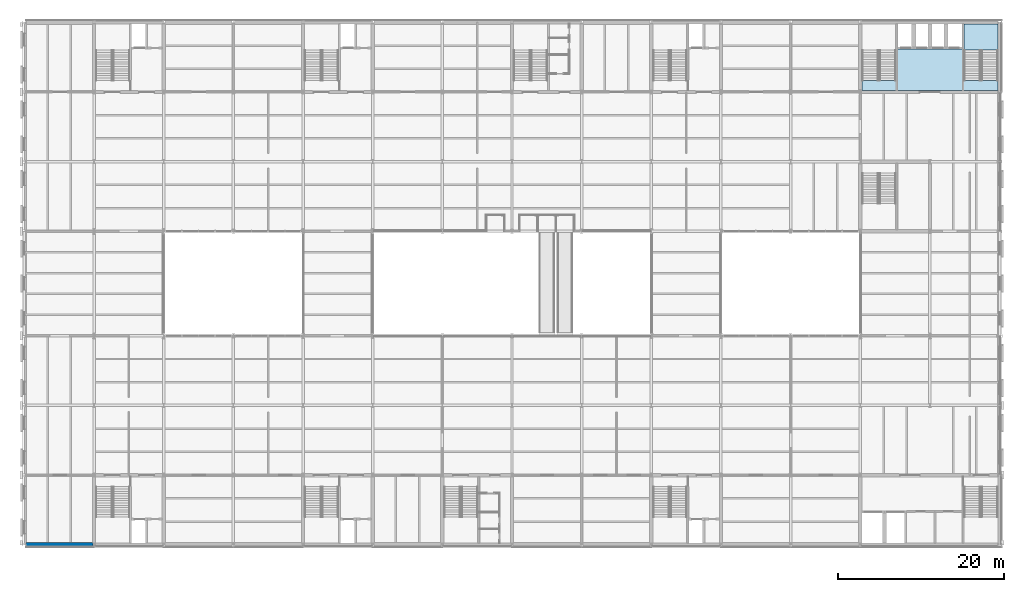
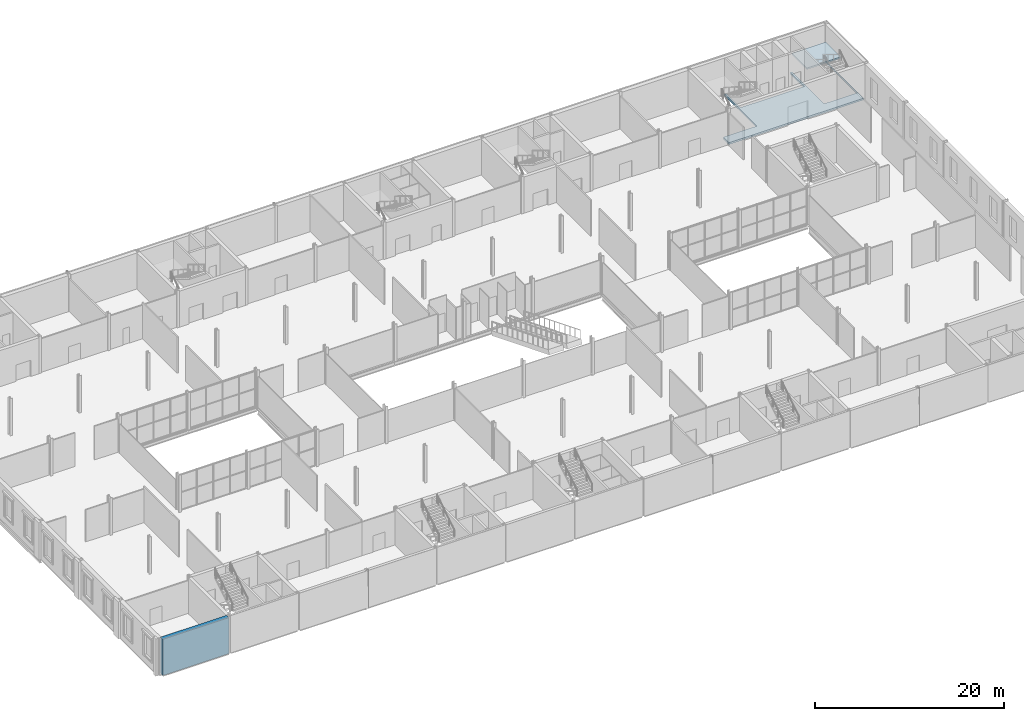
# One storey, part 27 of 52: 2 slabs, 1 wall, 1 element without a shape of its own.
"""IFC4 building model written with IfcOpenShell, lengths in metres."""

from ifc_helpers import new_model, si_unit, direction, frame, frame_2d, origin, place, context, subcontext, project, spatial, polyline, rectangle, outline, extrude, material, layer, layer_set, type_object, element, aggregate, save


model = new_model("IFC4")

# Units and contexts
model_context = context("Model", 3, precision=1e-05, world=origin(), true_north=direction((0.0, 1.0)))
body_context = subcontext(model_context, "Body", "Model", "MODEL_VIEW")
ifc_project = project(units=[si_unit("LENGTHUNIT", "METRE"), si_unit("AREAUNIT", "SQUARE_METRE"), si_unit("VOLUMEUNIT", "CUBIC_METRE"), si_unit("PLANEANGLEUNIT", "RADIAN"), si_unit("MASSUNIT", "GRAM", prefix="KILO")], contexts=[model_context])

# Site, building, storey
site_placement = place(None, origin())
site = spatial("IfcSite", under=ifc_project, at=site_placement, CompositionType="ELEMENT")
building_placement = place(site_placement, origin())
building = spatial("IfcBuilding", under=site, at=building_placement, Name="Galleria Vessillo Department Store", CompositionType="ELEMENT")
storey_placement = place(building_placement, frame((0.0, 0.0, 16.199951171875)))
storey = spatial("IfcBuildingStorey", under=building, at=storey_placement, Name="L03", CompositionType="ELEMENT", Elevation=16.199951171875)

# Slab
ifc_material_1 = material(Name="Concrete C32/40 reinforced", Category="concrete")
ifc_layer_1 = layer(ifc_material_1, 0.219970703125)
ifc_layer_set_1 = layer_set([ifc_layer_1], Name="Concrete C32/40 reinforced")
slab_type_1 = type_object("IfcSlabType", Name="Reinforced concrete core floor slab 220 mm", PredefinedType="FLOOR", material=ifc_layer_set_1)
slab_1_placement = place(storey_placement, frame((0.0, 0.0, -0.219970703125)))
element("IfcSlab", 1, at=slab_1_placement, inside=storey, type_object=slab_type_1, Name="S-SLAB-L03-CORE-TC", PredefinedType="FLOOR", context=body_context, shape_type="SweptSolid", body=[
    extrude(outline(polyline([(117.400146484375, 54.800048828125), (101.0, 54.800048828125), (101.0, 56.0), (105.10009765625, 56.0), (105.10009765625, 62.800048828125), (105.300048828125, 62.800048828125), (105.300048828125, 59.800048828125), (113.10009765625, 59.800048828125), (113.10009765625, 62.800048828125), (113.300048828125, 62.800048828125), (113.300048828125, 56.0), (117.39990234375, 56.0), (117.39990234375, 62.800048828125), (117.400146484375, 54.800048828125)])), origin(), (0.0, 0.0, 1.0), 0.219970703125),
])

# Stair, slab
ifc_material_2 = material(Name="Concrete C32/40", Category="concrete")
stair_type = type_object("IfcStairType", Name="Half-turn escape stair 2000 mm, 28 risers of 171 mm", PredefinedType="HALF_TURN_STAIR", material=ifc_material_2)
stair_placement = place(storey_placement, origin())
stair = element("IfcStair", 2, at=stair_placement, inside=storey, type_object=stair_type, Name="Stair ST9 L03", PredefinedType="HALF_TURN_STAIR")
ifc_material_3 = material(Name="Concrete C32/40", Category="concrete")
ifc_layer_2 = layer(ifc_material_3, 0.199951171875)
ifc_layer_set_2 = layer_set([ifc_layer_2], Name="Concrete C32/40")
slab_type_2 = type_object("IfcSlabType", Name="Stair half landing 4100 x 3160 mm", PredefinedType="LANDING", material=ifc_layer_set_2)
slab_2_placement = place(storey_placement, frame((0.0, 0.0, 2.2001953125)))
slab_2 = element("IfcSlab", 3, at=slab_2_placement, type_object=slab_type_2, Name="ST9 landing 1", PredefinedType="LANDING", context=body_context, shape_type="SweptSolid", body=[
    extrude(outline(polyline([(113.300048828125, 59.639892578125), (113.300048828125, 62.800048828125), (117.400146484375, 62.800048828125), (117.400146484375, 59.639892578125), (113.300048828125, 59.639892578125)])), origin(), (0.0, 0.0, 1.0), 0.199951171875),
])
aggregate(stair, [slab_2])

# Wall
ifc_material_4 = material(Name="Concrete C32/40 reinforced", Category="concrete")
ifc_layer_3 = layer(ifc_material_4, 0.5)
ifc_layer_set_3 = layer_set([ifc_layer_3], Name="Concrete C32/40 reinforced")
wall_type = type_object("IfcWallType", Name="Reinforced concrete party wall 500 mm", PredefinedType="SHEAR", material=ifc_layer_set_3)
wall_placement = place(storey_placement, frame((0.199951171875, 0.0, 0.0), z_axis=(0.0, 0.0, 1.0), x_axis=(1.0, 0.0, 0.0)))
element("IfcWall", 4, at=wall_placement, inside=storey, type_object=wall_type, Name="S-PS-L03-01", PredefinedType="SHEAR", context=body_context, shape_type="SweptSolid", body=[
    extrude(rectangle(XDim=8.050048828125, YDim=0.5, at=frame_2d((4.02490234375, 0.0))), origin(), (0.0, 0.0, 1.0), 4.650146484375),
])

save(model, "model.ifc")
